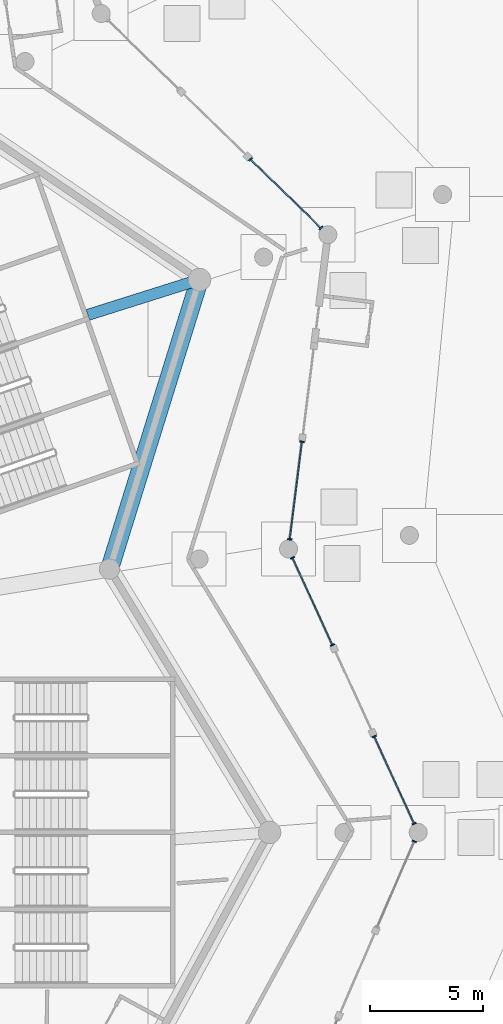
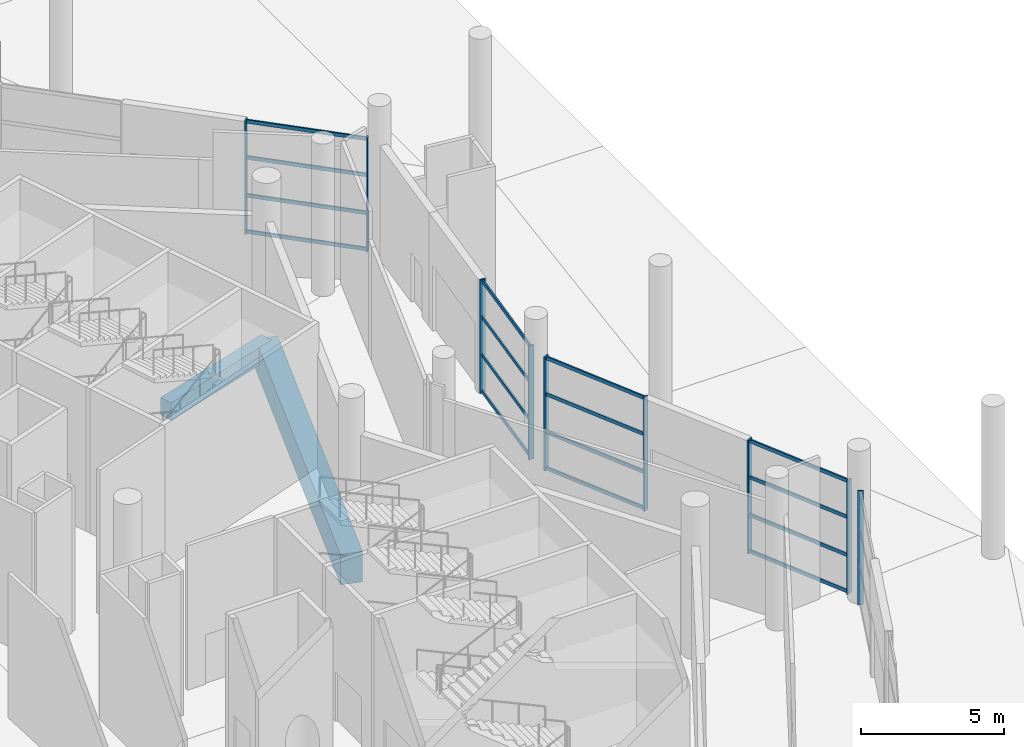
# One storey, part 60 of 255: 25 members, 2 beams, 5 elements without a shape of their own.
"""IFC4 building model written with IfcOpenShell, lengths in metres."""

from ifc_helpers import new_model, si_unit, direction, frame, origin, origin_2d, place, context, subcontext, project, spatial, rectangle, extrude, material, layer, layer_set, material_profile, profile_set, type_object, element, aggregate, save


model = new_model("IFC4")

# Units and contexts
model_context = context("Model", 3, precision=1e-05, world=origin(), true_north=direction((0.0, 1.0)))
body_context = subcontext(model_context, "Body", "Model", "MODEL_VIEW")
ifc_project = project(units=[si_unit("LENGTHUNIT", "METRE"), si_unit("AREAUNIT", "SQUARE_METRE"), si_unit("VOLUMEUNIT", "CUBIC_METRE"), si_unit("PLANEANGLEUNIT", "RADIAN"), si_unit("MASSUNIT", "GRAM", prefix="KILO")], contexts=[model_context])

# Site, building, storey
site_placement = place(None, origin())
site = spatial("IfcSite", under=ifc_project, at=site_placement, CompositionType="ELEMENT")
building_placement = place(site_placement, origin())
building = spatial("IfcBuilding", under=site, at=building_placement, Name="Meseta Stadium", CompositionType="ELEMENT")
storey_placement = place(building_placement, origin())
storey = spatial("IfcBuildingStorey", under=building, at=storey_placement, Name="L00", CompositionType="ELEMENT", Elevation=0.0)

# Beams
ifc_material_1 = material(Name="Concrete C40/50", Category="concrete")
ifc_material_profile_1 = material_profile(ifc_material_1, rectangle(XDim=0.5, YDim=0.75, at=origin_2d()), Name="RC 500x750")
ifc_profile_set_1 = profile_set([ifc_material_profile_1], Name="Concrete C40/50")
beam_type_1 = type_object("IfcBeamType", Name="RC beam 500x750", PredefinedType="BEAM", material=ifc_profile_set_1)
beam_1_placement = place(storey_placement, frame((93.330078125, 66.73095703125, -0.77490234375), z_axis=(0.953580537384, 0.301138105728, 0.0), x_axis=(-0.301138105728, 0.953580537384, 0.0)))
element("IfcBeam", 1, at=beam_1_placement, inside=storey, type_object=beam_type_1, Name="L00 radial beam frame 10 line P to R", PredefinedType="BEAM", context=body_context, shape_type="SweptSolid", body=[
    extrude(rectangle(XDim=0.5, YDim=0.75, at=origin_2d()), origin(), (0.0, 0.0, 1.0), 5.202392578125),
])
ifc_material_2 = material(Name="Concrete C40/50", Category="concrete")
ifc_material_profile_2 = material_profile(ifc_material_2, rectangle(XDim=0.800048828125, YDim=1.300048828125, at=origin_2d()), Name="RC 800x1300")
ifc_profile_set_2 = profile_set([ifc_material_profile_2], Name="Concrete C40/50")
beam_type_2 = type_object("IfcBeamType", Name="RC beam 800x1300", PredefinedType="BEAM", material=ifc_profile_set_2)
beam_2_placement = place(storey_placement, frame((94.29443359375, 55.44140625, -1.050048828125), z_axis=(0.296854913016, 0.954922594045, 0.0), x_axis=(-0.954922594045, 0.296854913016, 0.0)))
element("IfcBeam", 2, at=beam_2_placement, inside=storey, type_object=beam_type_2, Name="L00 ring beam frame 9 line R", PredefinedType="BEAM", context=body_context, shape_type="SweptSolid", body=[
    extrude(rectangle(XDim=0.800048828125, YDim=1.300048828125, at=origin_2d()), origin(), (0.0, 0.0, 1.0), 13.463134765625),
])

# Curtain wall, member
ifc_material_3 = material(Name="Aluminium", Category="aluminium")
ifc_layer = layer(ifc_material_3, 0.199951171875)
ifc_layer_set = layer_set([ifc_layer], Name="Ring shopfront curtain wall")
curtain_wall_type = type_object("IfcCurtainWallType", Name="Ring shopfront curtain wall", PredefinedType="NOTDEFINED", material=ifc_layer_set)
curtain_wall_1_placement = place(storey_placement, origin())
curtain_wall_1 = element("IfcCurtainWall", 3, at=curtain_wall_1_placement, inside=storey, type_object=curtain_wall_type, Name="Shopfront glazing F07b", PredefinedType="NOTDEFINED")
ifc_material_4 = material(Name="Aluminium", Category="aluminium")
ifc_material_profile_3 = material_profile(ifc_material_4, rectangle(XDim=0.199951171875, YDim=0.06005859375, at=origin_2d()), Name="CW 200x60")
ifc_profile_set_3 = profile_set([ifc_material_profile_3], Name="Aluminium")
member_type_1 = type_object("IfcMemberType", Name="Ring CW mullion 60x200", PredefinedType="MULLION", material=ifc_profile_set_3)
member_1_placement = place(storey_placement, frame((107.82958984375, 43.355224609375, 0.0), z_axis=(0.0, 0.0, 1.0), x_axis=(-0.918001803218, 0.396576208678, 0.0)))
member_1 = element("IfcMember", 4, at=member_1_placement, type_object=member_type_1, Name="CWR1 mullion 2", PredefinedType="MULLION", context=body_context, shape_type="SweptSolid", body=[
    extrude(rectangle(XDim=0.199951171875, YDim=0.06005859375, at=origin_2d()), origin(), (0.0, 0.0, 1.0), 4.85009765625),
])
aggregate(curtain_wall_1, [member_1])

# Curtain wall, members
curtain_wall_2_placement = place(storey_placement, origin())
curtain_wall_2 = element("IfcCurtainWall", 5, at=curtain_wall_2_placement, inside=storey, type_object=curtain_wall_type, Name="Shopfront glazing F08a", PredefinedType="NOTDEFINED")
member_2_placement = place(storey_placement, frame((107.8212890625, 44.14111328125, 0.0), z_axis=(0.0, 0.0, 1.0), x_axis=(-0.909427208853, -0.415863140706, 0.0)))
member_2 = element("IfcMember", 6, at=member_2_placement, type_object=member_type_1, Name="CWR1 mullion 1", PredefinedType="MULLION", context=body_context, shape_type="SweptSolid", body=[
    extrude(rectangle(XDim=0.199951171875, YDim=0.06005859375, at=origin_2d()), origin(), (0.0, 0.0, 1.0), 4.85009765625),
])
member_3_placement = place(storey_placement, frame((106.049560546875, 48.015625, 0.0), z_axis=(0.0, 0.0, 1.0), x_axis=(-0.909427208853, -0.415863140706, 0.0)))
member_3 = element("IfcMember", 7, at=member_3_placement, type_object=member_type_1, Name="CWR1 mullion 2", PredefinedType="MULLION", context=body_context, shape_type="SweptSolid", body=[
    extrude(rectangle(XDim=0.199951171875, YDim=0.06005859375, at=origin_2d()), origin(), (0.0, 0.0, 1.0), 4.85009765625),
])

curtain_wall_3_placement = place(storey_placement, origin())
curtain_wall_3 = element("IfcCurtainWall", 8, at=curtain_wall_3_placement, inside=storey, type_object=curtain_wall_type, Name="Shopfront glazing F08b", PredefinedType="NOTDEFINED")
member_4_placement = place(storey_placement, frame((104.19482421875, 52.071533203125, 0.0), z_axis=(0.0, 0.0, 1.0), x_axis=(-0.909427208853, -0.415863140706, 0.0)))
member_4 = element("IfcMember", 9, at=member_4_placement, type_object=member_type_1, Name="CWR1 mullion 1", PredefinedType="MULLION", context=body_context, shape_type="SweptSolid", body=[
    extrude(rectangle(XDim=0.199951171875, YDim=0.06005859375, at=origin_2d()), origin(), (0.0, 0.0, 1.0), 4.85009765625),
])
member_5_placement = place(storey_placement, frame((102.423095703125, 55.946044921875, 0.0), z_axis=(0.0, 0.0, 1.0), x_axis=(-0.909427208853, -0.415863140706, 0.0)))
member_5 = element("IfcMember", 10, at=member_5_placement, type_object=member_type_1, Name="CWR1 mullion 2", PredefinedType="MULLION", context=body_context, shape_type="SweptSolid", body=[
    extrude(rectangle(XDim=0.199951171875, YDim=0.06005859375, at=origin_2d()), origin(), (0.0, 0.0, 1.0), 4.85009765625),
])

curtain_wall_4_placement = place(storey_placement, origin())
curtain_wall_4 = element("IfcCurtainWall", 11, at=curtain_wall_4_placement, inside=storey, type_object=curtain_wall_type, Name="Shopfront glazing F09a", PredefinedType="NOTDEFINED")
member_6_placement = place(storey_placement, frame((102.297607421875, 56.763916015625, 0.0), z_axis=(0.0, 0.0, 1.0), x_axis=(-0.992265721385, 0.124131938531, 0.0)))
member_6 = element("IfcMember", 12, at=member_6_placement, type_object=member_type_1, Name="CWR1 mullion 1", PredefinedType="MULLION", context=body_context, shape_type="SweptSolid", body=[
    extrude(rectangle(XDim=0.199951171875, YDim=0.06005859375, at=origin_2d()), origin(), (0.0, 0.0, 1.0), 4.85009765625),
])
member_7_placement = place(storey_placement, frame((102.840087890625, 61.1015625, 0.0), z_axis=(0.0, 0.0, 1.0), x_axis=(-0.992265721385, 0.124131938531, 0.0)))
member_7 = element("IfcMember", 13, at=member_7_placement, type_object=member_type_1, Name="CWR1 mullion 2", PredefinedType="MULLION", context=body_context, shape_type="SweptSolid", body=[
    extrude(rectangle(XDim=0.199951171875, YDim=0.06005859375, at=origin_2d()), origin(), (0.0, 0.0, 1.0), 4.85009765625),
])

curtain_wall_5_placement = place(storey_placement, origin())
curtain_wall_5 = element("IfcCurtainWall", 14, at=curtain_wall_5_placement, inside=storey, type_object=curtain_wall_type, Name="Shopfront glazing F10a", PredefinedType="NOTDEFINED")
member_8_placement = place(storey_placement, frame((103.68212890625, 70.591796875, 0.0), z_axis=(0.0, 0.0, 1.0), x_axis=(-0.698377144688, -0.715729951712, 0.0)))
member_8 = element("IfcMember", 15, at=member_8_placement, type_object=member_type_1, Name="CWR1 mullion 1", PredefinedType="MULLION", context=body_context, shape_type="SweptSolid", body=[
    extrude(rectangle(XDim=0.199951171875, YDim=0.06005859375, at=origin_2d()), origin(), (0.0, 0.0, 1.0), 4.85009765625),
])
member_9_placement = place(storey_placement, frame((100.553466796875, 73.644775390625, 0.0), z_axis=(0.0, 0.0, 1.0), x_axis=(-0.698377144688, -0.715729951712, 0.0)))
member_9 = element("IfcMember", 16, at=member_9_placement, type_object=member_type_1, Name="CWR1 mullion 2", PredefinedType="MULLION", context=body_context, shape_type="SweptSolid", body=[
    extrude(rectangle(XDim=0.199951171875, YDim=0.06005859375, at=origin_2d()), origin(), (0.0, 0.0, 1.0), 4.85009765625),
])

# Member
ifc_material_5 = material(Name="Aluminium", Category="aluminium")
ifc_material_profile_4 = material_profile(ifc_material_5, rectangle(XDim=0.06005859375, YDim=0.14990234375, at=origin_2d()), Name="CW 60x150")
ifc_profile_set_4 = profile_set([ifc_material_profile_4], Name="Aluminium")
member_type_2 = type_object("IfcMemberType", Name="Ring CW transom 60x150", PredefinedType="USERDEFINED", material=ifc_profile_set_4)
member_10_placement = place(storey_placement, frame((107.808837890625, 44.16845703125, 0.074951171875), z_axis=(-0.415882010627, 0.909418579773, 0.0), x_axis=(-0.909418579773, -0.415882010627, 0.0)))
member_10 = element("IfcMember", 17, at=member_10_placement, type_object=member_type_2, Name="CWR1 transom 1.1", ObjectType="TRANSOM", PredefinedType="USERDEFINED", context=body_context, shape_type="SweptSolid", body=[
    extrude(rectangle(XDim=0.06005859375, YDim=0.14990234375, at=origin_2d()), origin(), (0.0, 0.0, 1.0), 4.2001953125),
])

member_11_placement = place(storey_placement, frame((107.808837890625, 44.16845703125, 1.61669921875), z_axis=(-0.415882010627, 0.909418579773, 0.0), x_axis=(-0.909418579773, -0.415882010627, 0.0)))
member_11 = element("IfcMember", 18, at=member_11_placement, type_object=member_type_2, Name="CWR1 transom 1.2", ObjectType="TRANSOM", PredefinedType="USERDEFINED", context=body_context, shape_type="SweptSolid", body=[
    extrude(rectangle(XDim=0.06005859375, YDim=0.14990234375, at=origin_2d()), origin(), (0.0, 0.0, 1.0), 4.2001953125),
])

member_12_placement = place(storey_placement, frame((107.808837890625, 44.16845703125, 3.2333984375), z_axis=(-0.415882010627, 0.909418579773, 0.0), x_axis=(-0.909418579773, -0.415882010627, 0.0)))
member_12 = element("IfcMember", 19, at=member_12_placement, type_object=member_type_2, Name="CWR1 transom 1.3", ObjectType="TRANSOM", PredefinedType="USERDEFINED", context=body_context, shape_type="SweptSolid", body=[
    extrude(rectangle(XDim=0.06005859375, YDim=0.14990234375, at=origin_2d()), origin(), (0.0, 0.0, 1.0), 4.2001953125),
])

member_13_placement = place(storey_placement, frame((107.808837890625, 44.16845703125, 4.77490234375), z_axis=(-0.415882010627, 0.909418579773, 0.0), x_axis=(-0.909418579773, -0.415882010627, 0.0)))
member_13 = element("IfcMember", 20, at=member_13_placement, type_object=member_type_2, Name="CWR1 transom 1.4", ObjectType="TRANSOM", PredefinedType="USERDEFINED", context=body_context, shape_type="SweptSolid", body=[
    extrude(rectangle(XDim=0.06005859375, YDim=0.14990234375, at=origin_2d()), origin(), (0.0, 0.0, 1.0), 4.2001953125),
])

aggregate(curtain_wall_2, [member_2, member_3, member_10, member_11, member_12, member_13])

member_14_placement = place(storey_placement, frame((104.18212890625, 52.098876953125, 0.074951171875), z_axis=(-0.415811956472, 0.909450612653, 0.0), x_axis=(-0.909450612653, -0.415811956472, 0.0)))
member_14 = element("IfcMember", 21, at=member_14_placement, type_object=member_type_2, Name="CWR1 transom 1.1", ObjectType="TRANSOM", PredefinedType="USERDEFINED", context=body_context, shape_type="SweptSolid", body=[
    extrude(rectangle(XDim=0.06005859375, YDim=0.14990234375, at=origin_2d()), origin(), (0.0, 0.0, 1.0), 4.200439453125),
])

member_15_placement = place(storey_placement, frame((104.18212890625, 52.098876953125, 1.61669921875), z_axis=(-0.415811956472, 0.909450612653, 0.0), x_axis=(-0.909450612653, -0.415811956472, 0.0)))
member_15 = element("IfcMember", 22, at=member_15_placement, type_object=member_type_2, Name="CWR1 transom 1.2", ObjectType="TRANSOM", PredefinedType="USERDEFINED", context=body_context, shape_type="SweptSolid", body=[
    extrude(rectangle(XDim=0.06005859375, YDim=0.14990234375, at=origin_2d()), origin(), (0.0, 0.0, 1.0), 4.200439453125),
])

member_16_placement = place(storey_placement, frame((104.18212890625, 52.098876953125, 3.2333984375), z_axis=(-0.415811956472, 0.909450612653, 0.0), x_axis=(-0.909450612653, -0.415811956472, 0.0)))
member_16 = element("IfcMember", 23, at=member_16_placement, type_object=member_type_2, Name="CWR1 transom 1.3", ObjectType="TRANSOM", PredefinedType="USERDEFINED", context=body_context, shape_type="SweptSolid", body=[
    extrude(rectangle(XDim=0.06005859375, YDim=0.14990234375, at=origin_2d()), origin(), (0.0, 0.0, 1.0), 4.200439453125),
])

member_17_placement = place(storey_placement, frame((104.18212890625, 52.098876953125, 4.77490234375), z_axis=(-0.415811956472, 0.909450612653, 0.0), x_axis=(-0.909450612653, -0.415811956472, 0.0)))
member_17 = element("IfcMember", 24, at=member_17_placement, type_object=member_type_2, Name="CWR1 transom 1.4", ObjectType="TRANSOM", PredefinedType="USERDEFINED", context=body_context, shape_type="SweptSolid", body=[
    extrude(rectangle(XDim=0.06005859375, YDim=0.14990234375, at=origin_2d()), origin(), (0.0, 0.0, 1.0), 4.200439453125),
])

aggregate(curtain_wall_3, [member_4, member_5, member_14, member_15, member_16, member_17])

member_18_placement = place(storey_placement, frame((102.30126953125, 56.793701171875, 0.074951171875), z_axis=(0.124125336508, 0.992266547273, 0.0), x_axis=(-0.992266547273, 0.124125336508, 0.0)))
member_18 = element("IfcMember", 25, at=member_18_placement, type_object=member_type_2, Name="CWR1 transom 1.1", ObjectType="TRANSOM", PredefinedType="USERDEFINED", context=body_context, shape_type="SweptSolid", body=[
    extrude(rectangle(XDim=0.06005859375, YDim=0.14990234375, at=origin_2d()), origin(), (0.0, 0.0, 1.0), 4.3115234375),
])

member_19_placement = place(storey_placement, frame((102.30126953125, 56.793701171875, 1.61669921875), z_axis=(0.124125336508, 0.992266547273, 0.0), x_axis=(-0.992266547273, 0.124125336508, 0.0)))
member_19 = element("IfcMember", 26, at=member_19_placement, type_object=member_type_2, Name="CWR1 transom 1.2", ObjectType="TRANSOM", PredefinedType="USERDEFINED", context=body_context, shape_type="SweptSolid", body=[
    extrude(rectangle(XDim=0.06005859375, YDim=0.14990234375, at=origin_2d()), origin(), (0.0, 0.0, 1.0), 4.3115234375),
])

member_20_placement = place(storey_placement, frame((102.30126953125, 56.793701171875, 3.2333984375), z_axis=(0.124125336508, 0.992266547273, 0.0), x_axis=(-0.992266547273, 0.124125336508, 0.0)))
member_20 = element("IfcMember", 27, at=member_20_placement, type_object=member_type_2, Name="CWR1 transom 1.3", ObjectType="TRANSOM", PredefinedType="USERDEFINED", context=body_context, shape_type="SweptSolid", body=[
    extrude(rectangle(XDim=0.06005859375, YDim=0.14990234375, at=origin_2d()), origin(), (0.0, 0.0, 1.0), 4.3115234375),
])

member_21_placement = place(storey_placement, frame((102.30126953125, 56.793701171875, 4.77490234375), z_axis=(0.124125336508, 0.992266547273, 0.0), x_axis=(-0.992266547273, 0.124125336508, 0.0)))
member_21 = element("IfcMember", 28, at=member_21_placement, type_object=member_type_2, Name="CWR1 transom 1.4", ObjectType="TRANSOM", PredefinedType="USERDEFINED", context=body_context, shape_type="SweptSolid", body=[
    extrude(rectangle(XDim=0.06005859375, YDim=0.14990234375, at=origin_2d()), origin(), (0.0, 0.0, 1.0), 4.3115234375),
])

aggregate(curtain_wall_4, [member_6, member_7, member_18, member_19, member_20, member_21])

member_22_placement = place(storey_placement, frame((103.66064453125, 70.61279296875, 0.074951171875), z_axis=(-0.715717740806, 0.698389658783, 0.0), x_axis=(-0.698389658783, -0.715717740806, 0.0)))
member_22 = element("IfcMember", 29, at=member_22_placement, type_object=member_type_2, Name="CWR1 transom 1.1", ObjectType="TRANSOM", PredefinedType="USERDEFINED", context=body_context, shape_type="SweptSolid", body=[
    extrude(rectangle(XDim=0.06005859375, YDim=0.14990234375, at=origin_2d()), origin(), (0.0, 0.0, 1.0), 4.311279296875),
])

member_23_placement = place(storey_placement, frame((103.66064453125, 70.61279296875, 1.61669921875), z_axis=(-0.715717740806, 0.698389658783, 0.0), x_axis=(-0.698389658783, -0.715717740806, 0.0)))
member_23 = element("IfcMember", 30, at=member_23_placement, type_object=member_type_2, Name="CWR1 transom 1.2", ObjectType="TRANSOM", PredefinedType="USERDEFINED", context=body_context, shape_type="SweptSolid", body=[
    extrude(rectangle(XDim=0.06005859375, YDim=0.14990234375, at=origin_2d()), origin(), (0.0, 0.0, 1.0), 4.311279296875),
])

member_24_placement = place(storey_placement, frame((103.66064453125, 70.61279296875, 3.2333984375), z_axis=(-0.715717740806, 0.698389658783, 0.0), x_axis=(-0.698389658783, -0.715717740806, 0.0)))
member_24 = element("IfcMember", 31, at=member_24_placement, type_object=member_type_2, Name="CWR1 transom 1.3", ObjectType="TRANSOM", PredefinedType="USERDEFINED", context=body_context, shape_type="SweptSolid", body=[
    extrude(rectangle(XDim=0.06005859375, YDim=0.14990234375, at=origin_2d()), origin(), (0.0, 0.0, 1.0), 4.311279296875),
])

member_25_placement = place(storey_placement, frame((103.66064453125, 70.61279296875, 4.77490234375), z_axis=(-0.715717740806, 0.698389658783, 0.0), x_axis=(-0.698389658783, -0.715717740806, 0.0)))
member_25 = element("IfcMember", 32, at=member_25_placement, type_object=member_type_2, Name="CWR1 transom 1.4", ObjectType="TRANSOM", PredefinedType="USERDEFINED", context=body_context, shape_type="SweptSolid", body=[
    extrude(rectangle(XDim=0.06005859375, YDim=0.14990234375, at=origin_2d()), origin(), (0.0, 0.0, 1.0), 4.311279296875),
])

aggregate(curtain_wall_5, [member_8, member_9, member_22, member_23, member_24, member_25])

save(model, "model.ifc")
